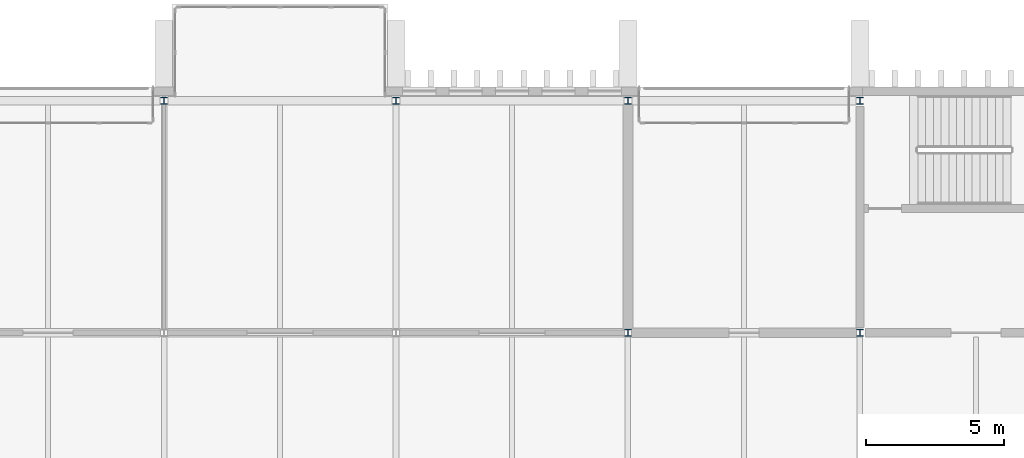
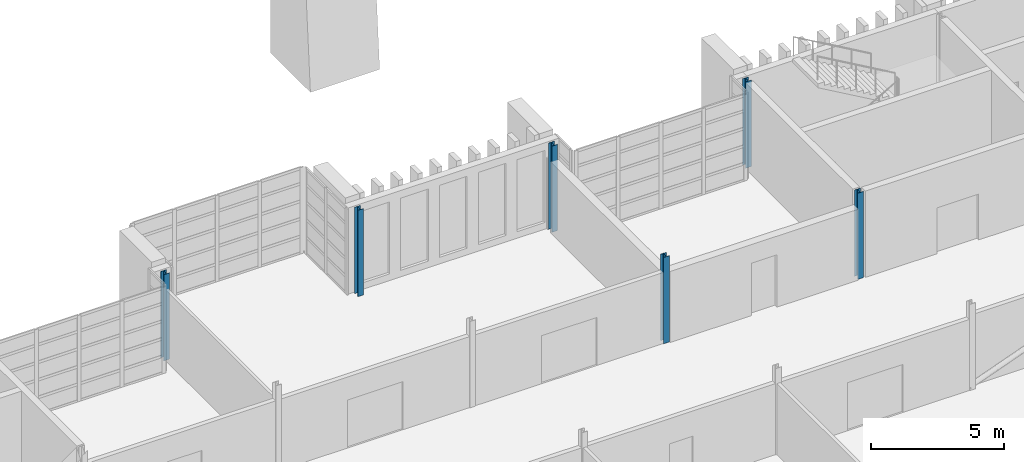
# One storey, part 7 of 88: 6 columns.
"""IFC4 building model written with IfcOpenShell, lengths in metres."""

import ifcopenshell
import ifcopenshell.guid

model = None  # the IFC model being written
_history = None  # IfcOwnerHistory: only IFC2X3 demands one
_inside = {}  # id of a spatial element -> (the spatial element, [elements in it])
_under = {}  # id of a project, library or spatial element -> (it, [spatial elements below it])
_declared = {}  # id of a project -> (the project, [libraries it declares])
_typed = {}  # id of a type object -> (the type object, [elements of that type])
_made_of = {}  # id of a material, layer set ... -> (it, [elements and type objects made of it])


def new_model(schema):
    """Start an empty IFC model of exactly this schema.

    Asked for "IFC4X3", IfcOpenShell would pick the latest addendum, in which some entities
    have other attributes; the version numbers below select the first issue.
    IFC2X3 requires an IfcOwnerHistory on every rooted entity: one is made here for all.
    """
    global model, _history
    if schema == "IFC4X3":
        model = ifcopenshell.file(schema_version=(4, 3, 0, 0))
    else:
        model = ifcopenshell.file(schema=schema)
    _inside.clear()
    _under.clear()
    _declared.clear()
    _typed.clear()
    _made_of.clear()
    _history = None
    if model.schema == "IFC2X3":
        org = make("IfcOrganization", Name="unknown")
        user = make(
            "IfcPersonAndOrganization",
            ThePerson=make("IfcPerson", FamilyName="unknown"),
            TheOrganization=org,
        )
        app = make(
            "IfcApplication",
            ApplicationDeveloper=org,
            Version="unknown",
            ApplicationFullName="unknown",
            ApplicationIdentifier="unknown",
        )
        _history = make(
            "IfcOwnerHistory",
            OwningUser=user,
            OwningApplication=app,
            ChangeAction="ADDED",
            CreationDate=0,
        )
    return model


def make(cls, **values):
    """One entity of the class cls with the attributes given. An attribute that is None is left unset."""
    return model.create_entity(
        cls, **{name: value for name, value in values.items() if value is not None}
    )


def rooted(cls, **values):
    """An entity with a GlobalId (a new one), such as an element, a storey or a relation."""
    return make(cls, GlobalId=ifcopenshell.guid.new(), OwnerHistory=_history, **values)


def si_unit(unit_type, name, prefix=None):
    """IfcSIUnit, for example si_unit("LENGTHUNIT", "METRE", prefix="MILLI")."""
    return make("IfcSIUnit", UnitType=unit_type, Prefix=prefix, Name=name)


def assignment(units):
    """IfcUnitAssignment: the units of a project."""
    return None if units is None else make("IfcUnitAssignment", Units=units)


def point(xyz):
    """IfcCartesianPoint."""
    return None if xyz is None else make("IfcCartesianPoint", Coordinates=xyz)


def direction(xyz):
    """IfcDirection."""
    return None if xyz is None else make("IfcDirection", DirectionRatios=xyz)


def frame(location, z_axis=None, x_axis=None):
    """IfcAxis2Placement3D, a coordinate frame: its origin and axes. An axis left out is left unset."""
    return make(
        "IfcAxis2Placement3D",
        Location=point(location),
        Axis=direction(z_axis),
        RefDirection=direction(x_axis),
    )


def frame_2d(location, x_axis=None):
    """IfcAxis2Placement2D, a coordinate frame in the plane: its origin and x axis."""
    return make(
        "IfcAxis2Placement2D", Location=point(location), RefDirection=direction(x_axis)
    )


def origin():
    """The frame at (0, 0, 0) with its axes left unset."""
    return frame((0.0, 0.0, 0.0))


def origin_2d():
    """The frame at (0, 0) in the plane with its x axis left unset."""
    return frame_2d((0.0, 0.0))


def place(relative_to, where):
    """IfcLocalPlacement: puts the frame where relative to a parent placement (None: the world)."""
    return make(
        "IfcLocalPlacement", PlacementRelTo=relative_to, RelativePlacement=where
    )


def context(
    kind, dimensions, precision=None, world=None, true_north=None, identifier=None
):
    """IfcGeometricRepresentationContext, for example the 3D "Model" context."""
    return make(
        "IfcGeometricRepresentationContext",
        ContextIdentifier=identifier,
        ContextType=kind,
        CoordinateSpaceDimension=dimensions,
        Precision=precision,
        WorldCoordinateSystem=world,
        TrueNorth=true_north,
    )


def subcontext(parent, identifier, kind, view, scale=None):
    """IfcGeometricRepresentationSubContext, for example "Body" below "Model"."""
    return make(
        "IfcGeometricRepresentationSubContext",
        ContextIdentifier=identifier,
        ContextType=kind,
        ParentContext=parent,
        TargetScale=scale,
        TargetView=view,
    )


def project(units=None, contexts=None):
    """IfcProject with its units and contexts."""
    return rooted(
        "IfcProject",
        Name="project",
        RepresentationContexts=contexts,
        UnitsInContext=assignment(units),
    )


def spatial(cls, under=None, at=None, **own):
    """A site, building, storey or space (cls), placed at a placement, below another one or the project."""
    s = rooted(cls, ObjectPlacement=at, **own)
    if under is not None:
        _under.setdefault(under.id(), (under, []))[1].append(s)
    return s


def profile(cls, at=None, kind="AREA", **sizes):
    """A parametric profile (cls). Its sizes go by their IFC names, for example OverallWidth=200.0."""
    return make(cls, ProfileType=kind, Position=at, **sizes)


def i_section(**sizes):
    """IfcIShapeProfileDef."""
    return profile("IfcIShapeProfileDef", **sizes)


def extrude(swept, where, along, depth):
    """IfcExtrudedAreaSolid: the profile swept, set in the frame where, extruded along a direction by depth."""
    return make(
        "IfcExtrudedAreaSolid",
        SweptArea=swept,
        Position=where,
        ExtrudedDirection=direction(along),
        Depth=depth,
    )


def shape(context_of_items, identifier, shape_type, items):
    """IfcShapeRepresentation: the items that make up one representation, for example the "Body"."""
    return make(
        "IfcShapeRepresentation",
        ContextOfItems=context_of_items,
        RepresentationIdentifier=identifier,
        RepresentationType=shape_type,
        Items=items,
    )


def material(Name=None, Category=None):
    """IfcMaterial."""
    return make("IfcMaterial", Name=Name, Category=Category)


def material_profile(
    of_material, cross_section, Name=None, Category=None, Priority=None
):
    """IfcMaterialProfile: a cross section and its material."""
    return make(
        "IfcMaterialProfile",
        Name=Name,
        Material=of_material,
        Profile=cross_section,
        Priority=Priority,
        Category=Category,
    )


def profile_set(profiles, Name=None, composite=None):
    """IfcMaterialProfileSet."""
    return make(
        "IfcMaterialProfileSet",
        Name=Name,
        MaterialProfiles=profiles,
        CompositeProfile=composite,
    )


def made_of(thing, what):
    """Note that an element or type object is made of a material, layer set ...; save() writes the relation."""
    if what is not None:
        _made_of.setdefault(what.id(), (what, []))[1].append(thing)
    return thing


def type_object(cls, material=None, **own):
    """A type object (cls), such as IfcWallType, which elements share."""
    return made_of(rooted(cls, **own), material)


def element(
    cls,
    number,
    at=None,
    inside=None,
    cuts=None,
    type_object=None,
    material=None,
    context=None,
    identifier="Body",
    shape_type=None,
    held_by="IfcProductDefinitionShape",
    body=None,
    shapes=None,
    **own,
):
    """One element of the class cls, such as IfcWall. Its Tag is "e" and its number.

    at: its placement. inside: the storey or other place that contains it. cuts: it is an
    opening in that element (IfcRelVoidsElement). A single representation is given by context,
    identifier, shape_type and body (its items); several are given by shapes. held_by: the class
    of the entity that holds the representations. save() writes the other relations.
    """
    e = rooted(cls, Tag="e%d" % number, ObjectPlacement=at, **own)
    if body is not None:
        shapes = [shape(context, identifier, shape_type, body)]
    if shapes is not None:
        e.Representation = make(held_by, Representations=shapes)
    if inside is not None:
        _inside.setdefault(inside.id(), (inside, []))[1].append(e)
    if cuts is not None:
        rooted(
            "IfcRelVoidsElement", RelatingBuildingElement=cuts, RelatedOpeningElement=e
        )
    if type_object is not None:
        _typed.setdefault(type_object.id(), (type_object, []))[1].append(e)
    return made_of(e, material)


def aggregate(whole, parts):
    """IfcRelAggregates: a whole, such as a stair, and the parts it consists of."""
    return rooted("IfcRelAggregates", RelatingObject=whole, RelatedObjects=parts)


def save(model, path):
    """Write the relations noted so far, then the file.

    IfcRelAggregates (storeys below a building ...), IfcRelContainedInSpatialStructure (elements
    in a storey), IfcRelDefinesByType, IfcRelAssociatesMaterial and IfcRelDeclares: one each for
    every whole, place, type object, material and project.
    """
    for whole, parts in _under.values():
        aggregate(whole, parts)
    for where, things in _inside.values():
        rooted(
            "IfcRelContainedInSpatialStructure",
            RelatedElements=things,
            RelatingStructure=where,
        )
    for kind, things in _typed.values():
        rooted("IfcRelDefinesByType", RelatedObjects=things, RelatingType=kind)
    for what, things in _made_of.values():
        rooted("IfcRelAssociatesMaterial", RelatedObjects=things, RelatingMaterial=what)
    for by, libraries in _declared.values():
        rooted("IfcRelDeclares", RelatingContext=by, RelatedDefinitions=libraries)
    model.write(path)


model = new_model("IFC4")

# Units and contexts
model_context = context("Model", 3, precision=1e-05, world=origin(), true_north=direction((0.0, 1.0)))
body_context = subcontext(model_context, "Body", "Model", "MODEL_VIEW")
ifc_project = project(units=[si_unit("LENGTHUNIT", "METRE"), si_unit("AREAUNIT", "SQUARE_METRE"), si_unit("VOLUMEUNIT", "CUBIC_METRE"), si_unit("PLANEANGLEUNIT", "RADIAN"), si_unit("MASSUNIT", "GRAM", prefix="KILO")], contexts=[model_context])

# Site, building, storey
site_placement = place(None, origin())
site = spatial("IfcSite", under=ifc_project, at=site_placement, CompositionType="ELEMENT")
building_placement = place(site_placement, origin())
building = spatial("IfcBuilding", under=site, at=building_placement, Name="Cresset Court Congress Hotel", CompositionType="ELEMENT")
storey_placement = place(building_placement, frame((0.0, 0.0, 14.39990234375)))
storey = spatial("IfcBuildingStorey", under=building, at=storey_placement, Name="L03", CompositionType="ELEMENT", Elevation=14.39990234375)

# Columns
ifc_material = material(Name="Structural steel Q355B", Category="steel")
ifc_material_profile = material_profile(ifc_material, i_section(OverallWidth=0.25, OverallDepth=0.25, WebThickness=0.009033203125, FlangeThickness=0.013916015625, FilletRadius=0.012939453125, at=origin_2d()), Name="HW250x250x9x14")
ifc_profile_set = profile_set([ifc_material_profile], Name="Structural steel Q355B")
column_type = type_object("IfcColumnType", Name="Steel column HW250x250x9x14", PredefinedType="COLUMN", material=ifc_profile_set)
for number, where, z_axis, x_axis, name in (
    (1, (75.60009765625, 25.199951171875, 0.0), (0.0, 0.0, 1.0), (1.0, 0.0, 0.0), "B.col.L03.10D"),
    (2, (84.0, 25.199951171875, 0.0), (0.0, 0.0, 1.0), (1.0, 0.0, 0.0), "B.col.L03.11D"),
    (3, (92.39990234375, 16.800048828125, 0.0), (0.0, 0.0, 1.0), (1.0, 0.0, 0.0), "B.col.L03.12C"),
    (4, (92.39990234375, 25.199951171875, 0.0), (0.0, 0.0, 1.0), (1.0, 0.0, 0.0), "B.col.L03.12D"),
    (5, (100.800048828125, 16.800048828125, 0.0), (0.0, 0.0, 1.0), (1.0, 0.0, 0.0), "B.col.L03.13C"),
    (6, (100.800048828125, 25.199951171875, 0.0), (0.0, 0.0, 1.0), (1.0, 0.0, 0.0), "B.col.L03.13D"),
):
    element("IfcColumn", number, at=place(storey_placement, frame(where, z_axis=z_axis, x_axis=x_axis)), inside=storey, type_object=column_type, Name=name, PredefinedType="COLUMN", context=body_context, shape_type="SweptSolid", body=[
        extrude(i_section(OverallWidth=0.25, OverallDepth=0.25, WebThickness=0.009033203125, FlangeThickness=0.013916015625, FilletRadius=0.012939453125, at=origin_2d()), origin(), (0.0, 0.0, 1.0), 3.9501953125),
    ])

save(model, "model.ifc")
